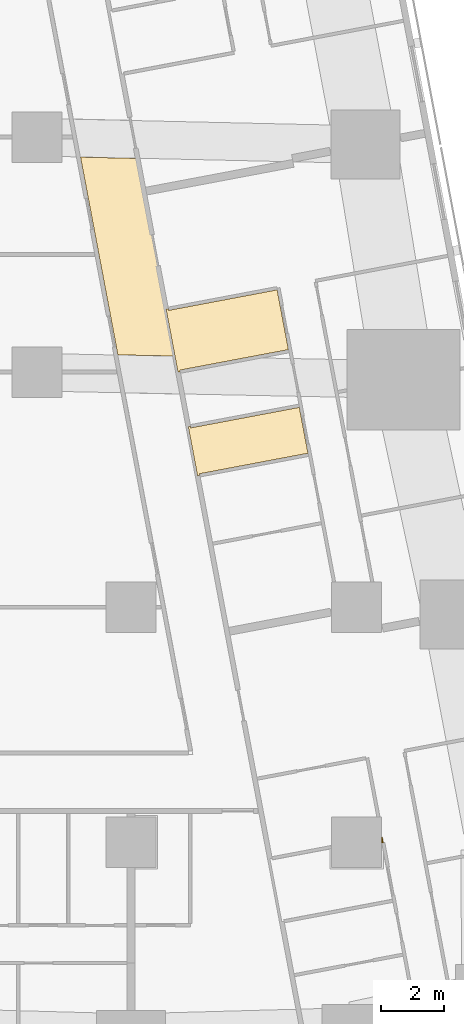
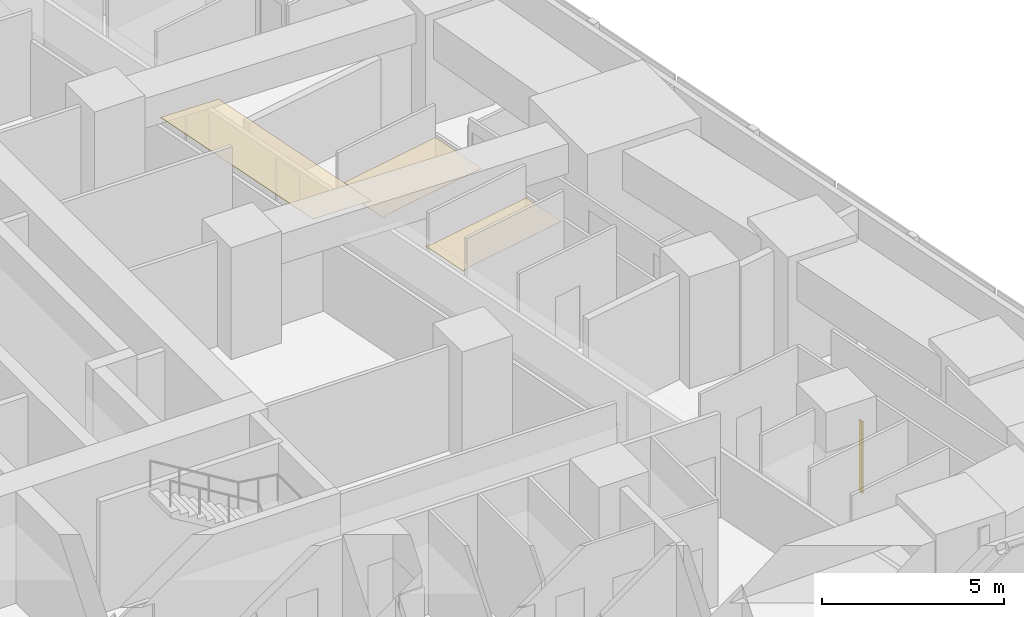
# One storey, part 15 of 16: 4 coverings.
"""IFC4 building model written with IfcOpenShell, lengths in metres."""

from ifc_helpers import new_model, si_unit, direction, frame, origin, place, context, subcontext, project, spatial, polyline, outline, extrude, material, layer, layer_set, type_object, element, save


model = new_model("IFC4")

# Units and contexts
model_context = context("Model", 3, precision=1e-05, world=origin(), true_north=direction((0.0, 1.0)))
body_context = subcontext(model_context, "Body", "Model", "MODEL_VIEW")
ifc_project = project(units=[si_unit("LENGTHUNIT", "METRE"), si_unit("AREAUNIT", "SQUARE_METRE"), si_unit("VOLUMEUNIT", "CUBIC_METRE"), si_unit("PLANEANGLEUNIT", "RADIAN"), si_unit("MASSUNIT", "GRAM", prefix="KILO")], contexts=[model_context])

# Site, building, storey
site_placement = place(None, origin())
site = spatial("IfcSite", under=ifc_project, at=site_placement, CompositionType="ELEMENT")
building_placement = place(site_placement, origin())
building = spatial("IfcBuilding", under=site, at=building_placement, Name="Sheger Commons Tower", CompositionType="ELEMENT")
storey_placement = place(building_placement, frame((0.0, 0.0, 96.64990234375)))
storey = spatial("IfcBuildingStorey", under=building, at=storey_placement, Name="L24", CompositionType="ELEMENT", Elevation=96.64990234375)

# Coverings
ifc_material_1 = material(Name="Moisture-resistant gypsum plasterboard 15 mm on a suspended galvanised steel grid", Category="steel")
ifc_layer_1 = layer(ifc_material_1, 0.014892578125)
ifc_layer_set_1 = layer_set([ifc_layer_1], Name="MOISTURE-RESISTANT CEILING 15")
covering_type_1 = type_object("IfcCoveringType", Name="MOISTURE-RESISTANT CEILING 15", PredefinedType="CEILING", material=ifc_layer_set_1)
covering_1_placement = place(storey_placement, frame((0.0, 0.0, 2.400146484375)))
element("IfcCovering", 1, at=covering_1_placement, inside=storey, type_object=covering_type_1, Name="L24-10.B1 ceiling", PredefinedType="CEILING", context=body_context, shape_type="SweptSolid", body=[
    extrude(outline(polyline([(37.5, 22.5), (37.568115234375, 22.512939453125), (37.55810546875, 22.56689453125), (41.02197265625, 23.220947265625), (40.662109375, 25.1279296875), (37.197998046875, 24.472900390625), (37.18798828125, 24.527099609375), (37.118896484375, 24.513916015625), (37.5, 22.5)])), origin(), (0.0, 0.0, 1.0), 0.014892578125),
])
covering_2_placement = place(storey_placement, frame((0.0, 0.0, 2.400146484375)))
element("IfcCovering", 2, at=covering_2_placement, inside=storey, type_object=covering_type_1, Name="L24-10.B2 ceiling", PredefinedType="CEILING", context=body_context, shape_type="SweptSolid", body=[
    extrude(outline(polyline([(38.1240234375, 19.193115234375), (38.193115234375, 19.2060546875), (38.18310546875, 19.259033203125), (41.64697265625, 19.9140625), (41.3701171875, 21.3779296875), (37.906005859375, 20.72412109375), (37.89599609375, 20.778076171875), (37.826904296875, 20.764892578125), (38.1240234375, 19.193115234375)])), origin(), (0.0, 0.0, 1.0), 0.014892578125),
])
ifc_material_2 = material(Name="Gypsum plasterboard 15 mm on a suspended steel grid", Category="steel")
ifc_layer_2 = layer(ifc_material_2, 0.014892578125)
ifc_layer_set_2 = layer_set([ifc_layer_2], Name="SUSPENDED CEILING 15")
covering_type_2 = type_object("IfcCoveringType", Name="SUSPENDED CEILING 15", PredefinedType="CEILING", material=ifc_layer_set_2)
covering_3_placement = place(storey_placement, frame((0.0, 0.0, 2.7001953125)))
element("IfcCovering", 3, at=covering_3_placement, inside=storey, type_object=covering_type_2, Name="L24-CO ceiling", PredefinedType="CEILING", context=body_context, shape_type="SweptSolid", body=[
    extrude(outline(polyline([(37.402099609375, 23.01611328125), (36.2109375, 29.322021484375), (34.388916015625, 29.363037109375), (35.5810546875, 23.052978515625), (37.402099609375, 23.01611328125)])), origin(), (0.0, 0.0, 1.0), 0.014892578125),
])
ifc_material_3 = material(Name="Moisture-resistant gypsum board 12.5 mm on 25 mm treated timber battens, tanked and tiled", Category="wood")
ifc_layer_3 = layer(ifc_material_3, 0.050048828125)
ifc_layer_set_3 = layer_set([ifc_layer_3], Name="WET-ROOM COLUMN LINING")
covering_type_3 = type_object("IfcCoveringType", Name="WET-ROOM COLUMN LINING", PredefinedType="CLADDING", material=ifc_layer_set_3)
covering_4_placement = place(storey_placement, origin())
element("IfcCovering", 4, at=covering_4_placement, inside=storey, type_object=covering_type_3, Name="Bathroom column lining C9 L24", PredefinedType="CLADDING", context=body_context, shape_type="SweptSolid", body=[
    extrude(outline(polyline([(44.0, 7.652099609375), (44.01806640625, 7.655029296875), (44.049072265625, 7.489990234375), (44.0, 7.48095703125), (44.0, 7.652099609375)])), origin(), (0.0, 0.0, 1.0), 2.400146484375),
])

save(model, "model.ifc")
